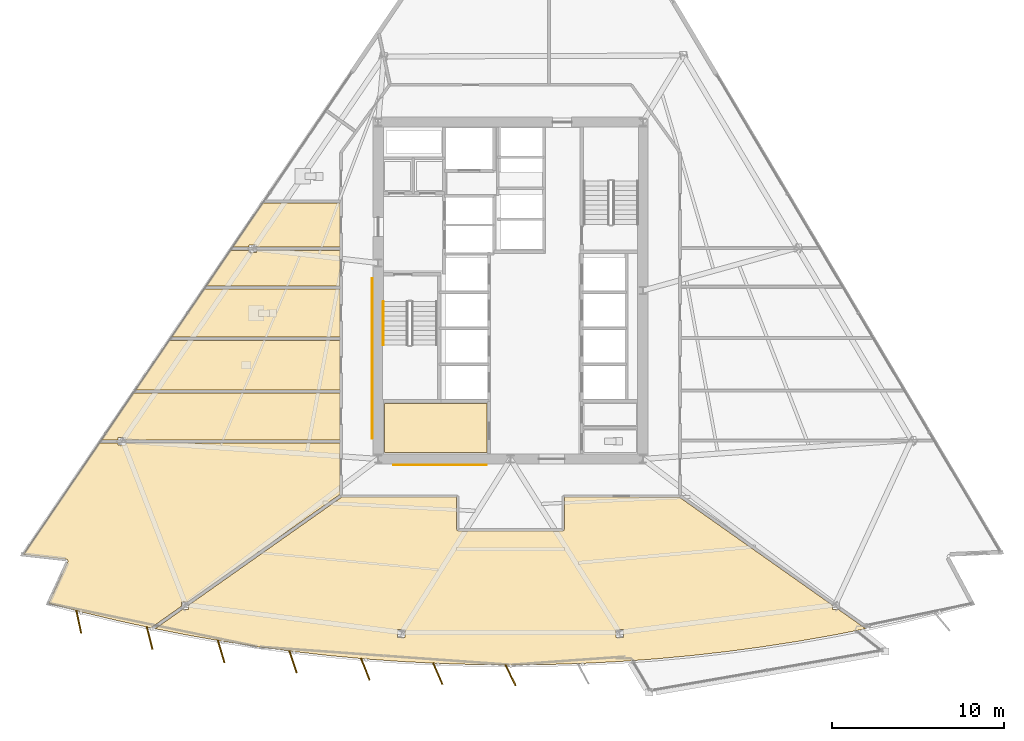
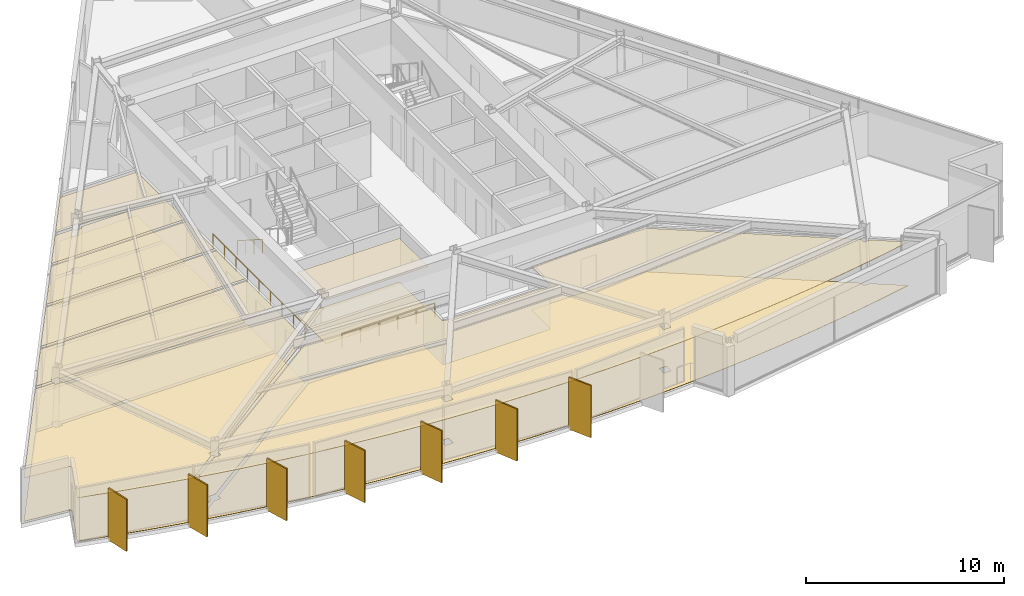
# One storey, part 11 of 15: 16 coverings, 7 shading devices, 3 railings.
"""IFC4 building model written with IfcOpenShell, lengths in metres."""

from ifc_helpers import new_model, si_unit, direction, frame, origin, origin_2d, place, context, subcontext, project, spatial, polyline, rectangle, circle, outline, extrude, material, layer, layer_set, type_object, element, save


model = new_model("IFC4")

# Units and contexts
model_context = context("Model", 3, precision=1e-05, world=origin(), true_north=direction((0.0, 1.0)))
body_context = subcontext(model_context, "Body", "Model", "MODEL_VIEW")
ifc_project = project(units=[si_unit("LENGTHUNIT", "METRE"), si_unit("AREAUNIT", "SQUARE_METRE"), si_unit("VOLUMEUNIT", "CUBIC_METRE"), si_unit("PLANEANGLEUNIT", "RADIAN"), si_unit("MASSUNIT", "GRAM", prefix="KILO")], contexts=[model_context])

# Site, building, storey
site_placement = place(None, origin())
site = spatial("IfcSite", under=ifc_project, at=site_placement, CompositionType="ELEMENT")
building_placement = place(site_placement, origin())
building = spatial("IfcBuilding", under=site, at=building_placement, Name="Savorim Split Tower", CompositionType="ELEMENT")
storey_placement = place(building_placement, frame((0.0, 0.0, 96.89990234375)))
storey = spatial("IfcBuildingStorey", under=building, at=storey_placement, Name="L25", CompositionType="ELEMENT", Elevation=96.89990234375)

# Coverings
ifc_material_1 = material(Name="Mineral Fibre Acoustic Ceiling")
ifc_layer_1 = layer(ifc_material_1, 0.02490234375)
ifc_layer_set_1 = layer_set([ifc_layer_1], Name="COV-CEIL-25")
covering_type_1 = type_object("IfcCoveringType", Name="COV-CEIL-25", PredefinedType="CEILING", material=ifc_layer_set_1)
covering_1_placement = place(storey_placement, frame((0.0, 0.0, 2.670166015625)))
element("IfcCovering", 1, at=covering_1_placement, inside=storey, type_object=covering_type_1, Name="L25 Housekeeping Store Acoustic Ceiling", PredefinedType="CEILING", context=body_context, shape_type="SweptSolid", body=[
    extrude(outline(polyline([(-7.320068359375, -6.179931640625), (-7.320068359375, -9.02001953125), (-1.3798828125, -9.02001953125), (-1.3798828125, -6.179931640625), (-7.320068359375, -6.179931640625)])), origin(), (0.0, 0.0, 1.0), 0.02490234375),
])
covering_2_placement = place(storey_placement, frame((0.0, 0.0, 2.670166015625)))
element("IfcCovering", 2, at=covering_2_placement, inside=storey, type_object=covering_type_1, Name="L25 Shared Bathroom Acoustic Ceiling", PredefinedType="CEILING", context=body_context, shape_type="SweptSolid", body=[
    extrude(outline(polyline([(-17.8291015625, 0.476806640625), (-19.72900390625, -2.31591796875), (-9.919921875, -2.31591796875), (-9.919921875, 0.476806640625), (-17.8291015625, 0.476806640625)])), origin(), (0.0, 0.0, 1.0), 0.02490234375),
])
covering_3_placement = place(storey_placement, frame((0.0, 0.0, 2.670166015625)))
element("IfcCovering", 3, at=covering_3_placement, inside=storey, type_object=covering_type_1, Name="L25 Shared Kitchen Acoustic Ceiling", PredefinedType="CEILING", context=body_context, shape_type="SweptSolid", body=[
    extrude(outline(polyline([(-19.858154296875, -2.506103515625), (-21.80908203125, -5.3740234375), (-9.919921875, -5.3740234375), (-9.919921875, -2.506103515625), (-19.858154296875, -2.506103515625)])), origin(), (0.0, 0.0, 1.0), 0.02490234375),
])
covering_4_placement = place(storey_placement, frame((0.0, 0.0, 2.670166015625)))
element("IfcCovering", 4, at=covering_4_placement, inside=storey, type_object=covering_type_1, Name="L25 Co-Working Commons Acoustic Ceiling", PredefinedType="CEILING", context=body_context, shape_type="SweptSolid", body=[
    extrude(outline(polyline([(-22.39794921875, -8.154052734375), (-22.39794921875, -8.281494140625), (-9.919921875, -8.281494140625), (-9.919921875, -5.564208984375), (-21.9384765625, -5.564208984375), (-23.787109375, -8.281494140625), (-22.826904296875, -8.281494140625), (-22.826904296875, -8.154052734375), (-22.39794921875, -8.154052734375)])), origin(), (0.0, 0.0, 1.0), 0.02490234375),
])
covering_5_placement = place(storey_placement, frame((0.0, 0.0, 2.670166015625)))
element("IfcCovering", 5, at=covering_5_placement, inside=storey, type_object=covering_type_1, Name="L25 Co-Working Commons Acoustic Ceiling", PredefinedType="CEILING", context=body_context, shape_type="SweptSolid", body=[
    extrude(outline(polyline([(-25.751953125, -15.339111328125), (-25.751708984375, -15.35107421875), (-25.752685546875, -15.36279296875), (-25.7548828125, -15.374755859375), (-25.758056640625, -15.385986328125), (-25.7626953125, -15.397216796875), (-26.867919921875, -17.80322265625), (-24.9716796875, -18.29931640625), (-22.927490234375, -18.789306640625), (-20.873779296875, -19.237548828125), (-20.83447265625, -19.245361328125), (-20.87353515625, -19.18994140625), (-19.15087890625, -17.973876953125), (-19.15087890625, -17.71630859375), (-18.785888671875, -17.71630859375), (-9.950927734375, -11.47998046875), (-9.919921875, -11.458251953125), (-9.919921875, -8.471435546875), (-22.39794921875, -8.471435546875), (-22.39794921875, -8.59912109375), (-22.826904296875, -8.59912109375), (-22.826904296875, -8.471435546875), (-23.791259765625, -8.471435546875), (-23.88623046875, -8.471435546875), (-23.88623046875, -8.42724609375), (-28.3251953125, -14.952392578125), (-25.8583984375, -15.227783203125), (-25.846435546875, -15.229736328125), (-25.8349609375, -15.23291015625), (-25.82373046875, -15.237060546875), (-25.81298828125, -15.2421875), (-25.802978515625, -15.248779296875), (-25.79345703125, -15.256103515625), (-25.784912109375, -15.26416015625), (-25.777099609375, -15.273193359375), (-25.770263671875, -15.282958984375), (-25.764404296875, -15.293212890625), (-25.759521484375, -15.30419921875), (-25.755859375, -15.315673828125), (-25.75341796875, -15.3271484375), (-25.751953125, -15.339111328125)])), origin(), (0.0, 0.0, 1.0), 0.02490234375),
])
covering_6_placement = place(storey_placement, frame((0.0, 0.0, 2.670166015625)))
element("IfcCovering", 6, at=covering_6_placement, inside=storey, type_object=covering_type_1, Name="L25 Co-Working Commons Acoustic Ceiling", PredefinedType="CEILING", context=body_context, shape_type="SweptSolid", body=[
    extrude(outline(polyline([(12.58056640625, -20.607421875), (14.6640625, -20.32861328125), (16.7412109375, -20.00732421875), (18.8115234375, -19.6435546875), (20.668701171875, -19.27783203125), (19.0869140625, -18.1611328125), (18.7216796875, -18.1611328125), (18.7216796875, -17.903564453125), (9.84130859375, -11.63525390625), (9.813720703125, -11.61572265625), (9.807373046875, -11.6171875), (9.793701171875, -11.619384765625), (9.780029296875, -11.6201171875), (3.139892578125, -11.6201171875), (3.139892578125, -13.449951171875), (3.139404296875, -13.463623046875), (3.13720703125, -13.477294921875), (3.134033203125, -13.490478515625), (3.12939453125, -13.503662109375), (3.12353515625, -13.51611328125), (3.116455078125, -13.52783203125), (3.108154296875, -13.538818359375), (3.09912109375, -13.549072265625), (3.0888671875, -13.55810546875), (3.077880859375, -13.56640625), (3.06591796875, -13.573486328125), (3.0537109375, -13.579345703125), (3.04052734375, -13.583984375), (3.02734375, -13.58740234375), (3.013671875, -13.58935546875), (3.0, -13.590087890625), (-3.0, -13.590087890625), (-3.013671875, -13.58935546875), (-3.02734375, -13.58740234375), (-3.04052734375, -13.583984375), (-3.0537109375, -13.579345703125), (-3.06591796875, -13.573486328125), (-3.077880859375, -13.56640625), (-3.0888671875, -13.55810546875), (-3.09912109375, -13.549072265625), (-3.108154296875, -13.538818359375), (-3.116455078125, -13.52783203125), (-3.12353515625, -13.51611328125), (-3.12939453125, -13.503662109375), (-3.134033203125, -13.490478515625), (-3.13720703125, -13.477294921875), (-3.139404296875, -13.463623046875), (-3.139892578125, -13.449951171875), (-3.139892578125, -11.6201171875), (-9.780029296875, -11.6201171875), (-9.793701171875, -11.619384765625), (-9.807373046875, -11.6171875), (-9.813720703125, -11.61572265625), (-18.7216796875, -17.903564453125), (-18.7216796875, -18.1611328125), (-19.0869140625, -18.1611328125), (-20.668701171875, -19.27783203125), (-18.8115234375, -19.6435546875), (-16.7412109375, -20.00732421875), (-14.6640625, -20.32861328125), (-12.58056640625, -20.607421875), (-10.49169921875, -20.843505859375), (-8.398681640625, -21.036865234375), (-6.302001953125, -21.187255859375), (-4.202880859375, -21.294921875), (-2.101806640625, -21.359375), (0.0, -21.380859375), (2.101806640625, -21.359375), (4.202880859375, -21.294921875), (6.302001953125, -21.187255859375), (8.398681640625, -21.036865234375), (10.49169921875, -20.843505859375), (12.58056640625, -20.607421875)]), holes=[polyline([(-6.56103515625, -19.777587890625), (-6.132080078125, -19.777587890625), (-6.132080078125, -19.332763671875), (-6.56103515625, -19.332763671875), (-6.56103515625, -19.777587890625)]), polyline([(6.132080078125, -19.777587890625), (6.56103515625, -19.777587890625), (6.56103515625, -19.332763671875), (6.132080078125, -19.332763671875), (6.132080078125, -19.777587890625)])]), origin(), (0.0, 0.0, 1.0), 0.02490234375),
])
covering_7_placement = place(storey_placement, frame((0.0, 0.0, 2.670166015625)))
element("IfcCovering", 7, at=covering_7_placement, inside=storey, type_object=covering_type_1, Name="L25 Maker Workshop Acoustic Ceiling", PredefinedType="CEILING", context=body_context, shape_type="SweptSolid", body=[
    extrude(outline(polyline([(-14.779052734375, 3.0458984375), (-14.779052734375, 2.918212890625), (-9.919921875, 2.918212890625), (-9.919921875, 5.48876953125), (-14.41943359375, 5.48876953125), (-16.168212890625, 2.918212890625), (-15.2080078125, 2.918212890625), (-15.2080078125, 3.0458984375), (-14.779052734375, 3.0458984375)])), origin(), (0.0, 0.0, 1.0), 0.02490234375),
])
covering_8_placement = place(storey_placement, frame((0.0, 0.0, 2.670166015625)))
element("IfcCovering", 8, at=covering_8_placement, inside=storey, type_object=covering_type_1, Name="L25 Co-Living Bedroom Acoustic Ceiling", PredefinedType="CEILING", context=body_context, shape_type="SweptSolid", body=[
    extrude(outline(polyline([(-15.2080078125, 2.728271484375), (-16.172119140625, 2.728271484375), (-16.26708984375, 2.728271484375), (-16.26708984375, 2.772705078125), (-17.69970703125, 0.666748046875), (-9.919921875, 0.666748046875), (-9.919921875, 2.728271484375), (-14.779052734375, 2.728271484375), (-14.779052734375, 2.600830078125), (-15.2080078125, 2.600830078125), (-15.2080078125, 2.728271484375)])), origin(), (0.0, 0.0, 1.0), 0.02490234375),
])
ifc_material_2 = material(Name="Porcelain Stoneware Flooring", Category="masonry")
ifc_layer_2 = layer(ifc_material_2, 0.02001953125)
ifc_layer_set_2 = layer_set([ifc_layer_2], Name="COV-FLOR-20")
covering_type_2 = type_object("IfcCoveringType", Name="COV-FLOR-20", PredefinedType="FLOORING", material=ifc_layer_set_2)
covering_9_placement = place(storey_placement, origin())
element("IfcCovering", 9, at=covering_9_placement, inside=storey, type_object=covering_type_2, Name="L25 Housekeeping Store Porcelain Flooring", PredefinedType="FLOORING", context=body_context, shape_type="SweptSolid", body=[
    extrude(outline(polyline([(-7.320068359375, -6.179931640625), (-7.320068359375, -9.02001953125), (-1.3798828125, -9.02001953125), (-1.3798828125, -6.179931640625), (-7.320068359375, -6.179931640625)])), origin(), (0.0, 0.0, 1.0), 0.02001953125),
])
covering_10_placement = place(storey_placement, origin())
element("IfcCovering", 10, at=covering_10_placement, inside=storey, type_object=covering_type_2, Name="L25 Shared Bathroom Porcelain Flooring", PredefinedType="FLOORING", context=body_context, shape_type="SweptSolid", body=[
    extrude(outline(polyline([(-17.8291015625, 0.476806640625), (-19.72900390625, -2.31591796875), (-9.919921875, -2.31591796875), (-9.919921875, 0.476806640625), (-17.8291015625, 0.476806640625)])), origin(), (0.0, 0.0, 1.0), 0.02001953125),
])
covering_11_placement = place(storey_placement, origin())
element("IfcCovering", 11, at=covering_11_placement, inside=storey, type_object=covering_type_2, Name="L25 Shared Kitchen Porcelain Flooring", PredefinedType="FLOORING", context=body_context, shape_type="SweptSolid", body=[
    extrude(outline(polyline([(-19.858154296875, -2.506103515625), (-21.80908203125, -5.3740234375), (-9.919921875, -5.3740234375), (-9.919921875, -2.506103515625), (-19.858154296875, -2.506103515625)])), origin(), (0.0, 0.0, 1.0), 0.02001953125),
])
covering_12_placement = place(storey_placement, origin())
element("IfcCovering", 12, at=covering_12_placement, inside=storey, type_object=covering_type_2, Name="L25 Co-Working Commons Porcelain Flooring", PredefinedType="FLOORING", context=body_context, shape_type="SweptSolid", body=[
    extrude(outline(polyline([(-22.39794921875, -8.154052734375), (-22.39794921875, -8.281494140625), (-9.919921875, -8.281494140625), (-9.919921875, -5.564208984375), (-21.9384765625, -5.564208984375), (-23.787109375, -8.281494140625), (-22.826904296875, -8.281494140625), (-22.826904296875, -8.154052734375), (-22.39794921875, -8.154052734375)])), origin(), (0.0, 0.0, 1.0), 0.02001953125),
])
covering_13_placement = place(storey_placement, origin())
element("IfcCovering", 13, at=covering_13_placement, inside=storey, type_object=covering_type_2, Name="L25 Co-Working Commons Porcelain Flooring", PredefinedType="FLOORING", context=body_context, shape_type="SweptSolid", body=[
    extrude(outline(polyline([(-25.751953125, -15.339111328125), (-25.751708984375, -15.35107421875), (-25.752685546875, -15.36279296875), (-25.7548828125, -15.374755859375), (-25.758056640625, -15.385986328125), (-25.7626953125, -15.397216796875), (-26.867919921875, -17.80322265625), (-24.9716796875, -18.29931640625), (-22.927490234375, -18.789306640625), (-20.873779296875, -19.237548828125), (-20.83447265625, -19.245361328125), (-20.87353515625, -19.18994140625), (-19.15087890625, -17.973876953125), (-19.15087890625, -17.71630859375), (-18.785888671875, -17.71630859375), (-9.950927734375, -11.47998046875), (-9.919921875, -11.458251953125), (-9.919921875, -8.471435546875), (-22.39794921875, -8.471435546875), (-22.39794921875, -8.59912109375), (-22.826904296875, -8.59912109375), (-22.826904296875, -8.471435546875), (-23.791259765625, -8.471435546875), (-23.88623046875, -8.471435546875), (-23.88623046875, -8.42724609375), (-28.3251953125, -14.952392578125), (-25.8583984375, -15.227783203125), (-25.846435546875, -15.229736328125), (-25.8349609375, -15.23291015625), (-25.82373046875, -15.237060546875), (-25.81298828125, -15.2421875), (-25.802978515625, -15.248779296875), (-25.79345703125, -15.256103515625), (-25.784912109375, -15.26416015625), (-25.777099609375, -15.273193359375), (-25.770263671875, -15.282958984375), (-25.764404296875, -15.293212890625), (-25.759521484375, -15.30419921875), (-25.755859375, -15.315673828125), (-25.75341796875, -15.3271484375), (-25.751953125, -15.339111328125)])), origin(), (0.0, 0.0, 1.0), 0.02001953125),
])
covering_14_placement = place(storey_placement, origin())
element("IfcCovering", 14, at=covering_14_placement, inside=storey, type_object=covering_type_2, Name="L25 Co-Working Commons Porcelain Flooring", PredefinedType="FLOORING", context=body_context, shape_type="SweptSolid", body=[
    extrude(outline(polyline([(12.58056640625, -20.607421875), (14.6640625, -20.32861328125), (16.7412109375, -20.00732421875), (18.8115234375, -19.6435546875), (20.668701171875, -19.27783203125), (19.0869140625, -18.1611328125), (18.7216796875, -18.1611328125), (18.7216796875, -17.903564453125), (9.84130859375, -11.63525390625), (9.813720703125, -11.61572265625), (9.807373046875, -11.6171875), (9.793701171875, -11.619384765625), (9.780029296875, -11.6201171875), (3.139892578125, -11.6201171875), (3.139892578125, -13.449951171875), (3.139404296875, -13.463623046875), (3.13720703125, -13.477294921875), (3.134033203125, -13.490478515625), (3.12939453125, -13.503662109375), (3.12353515625, -13.51611328125), (3.116455078125, -13.52783203125), (3.108154296875, -13.538818359375), (3.09912109375, -13.549072265625), (3.0888671875, -13.55810546875), (3.077880859375, -13.56640625), (3.06591796875, -13.573486328125), (3.0537109375, -13.579345703125), (3.04052734375, -13.583984375), (3.02734375, -13.58740234375), (3.013671875, -13.58935546875), (3.0, -13.590087890625), (-3.0, -13.590087890625), (-3.013671875, -13.58935546875), (-3.02734375, -13.58740234375), (-3.04052734375, -13.583984375), (-3.0537109375, -13.579345703125), (-3.06591796875, -13.573486328125), (-3.077880859375, -13.56640625), (-3.0888671875, -13.55810546875), (-3.09912109375, -13.549072265625), (-3.108154296875, -13.538818359375), (-3.116455078125, -13.52783203125), (-3.12353515625, -13.51611328125), (-3.12939453125, -13.503662109375), (-3.134033203125, -13.490478515625), (-3.13720703125, -13.477294921875), (-3.139404296875, -13.463623046875), (-3.139892578125, -13.449951171875), (-3.139892578125, -11.6201171875), (-9.780029296875, -11.6201171875), (-9.793701171875, -11.619384765625), (-9.807373046875, -11.6171875), (-9.813720703125, -11.61572265625), (-18.7216796875, -17.903564453125), (-18.7216796875, -18.1611328125), (-19.0869140625, -18.1611328125), (-20.668701171875, -19.27783203125), (-18.8115234375, -19.6435546875), (-16.7412109375, -20.00732421875), (-14.6640625, -20.32861328125), (-12.58056640625, -20.607421875), (-10.49169921875, -20.843505859375), (-8.398681640625, -21.036865234375), (-6.302001953125, -21.187255859375), (-4.202880859375, -21.294921875), (-2.101806640625, -21.359375), (0.0, -21.380859375), (2.101806640625, -21.359375), (4.202880859375, -21.294921875), (6.302001953125, -21.187255859375), (8.398681640625, -21.036865234375), (10.49169921875, -20.843505859375), (12.58056640625, -20.607421875)]), holes=[polyline([(-6.56103515625, -19.777587890625), (-6.132080078125, -19.777587890625), (-6.132080078125, -19.332763671875), (-6.56103515625, -19.332763671875), (-6.56103515625, -19.777587890625)]), polyline([(6.132080078125, -19.777587890625), (6.56103515625, -19.777587890625), (6.56103515625, -19.332763671875), (6.132080078125, -19.332763671875), (6.132080078125, -19.777587890625)])]), origin(), (0.0, 0.0, 1.0), 0.02001953125),
])
covering_15_placement = place(storey_placement, origin())
element("IfcCovering", 15, at=covering_15_placement, inside=storey, type_object=covering_type_2, Name="L25 Maker Workshop Porcelain Flooring", PredefinedType="FLOORING", context=body_context, shape_type="SweptSolid", body=[
    extrude(outline(polyline([(-14.779052734375, 3.0458984375), (-14.779052734375, 2.918212890625), (-9.919921875, 2.918212890625), (-9.919921875, 5.48876953125), (-14.41943359375, 5.48876953125), (-16.168212890625, 2.918212890625), (-15.2080078125, 2.918212890625), (-15.2080078125, 3.0458984375), (-14.779052734375, 3.0458984375)])), origin(), (0.0, 0.0, 1.0), 0.02001953125),
])
covering_16_placement = place(storey_placement, origin())
element("IfcCovering", 16, at=covering_16_placement, inside=storey, type_object=covering_type_2, Name="L25 Co-Living Bedroom Porcelain Flooring", PredefinedType="FLOORING", context=body_context, shape_type="SweptSolid", body=[
    extrude(outline(polyline([(-15.2080078125, 2.728271484375), (-16.172119140625, 2.728271484375), (-16.26708984375, 2.728271484375), (-16.26708984375, 2.772705078125), (-17.69970703125, 0.666748046875), (-9.919921875, 0.666748046875), (-9.919921875, 2.728271484375), (-14.779052734375, 2.728271484375), (-14.779052734375, 2.600830078125), (-15.2080078125, 2.600830078125), (-15.2080078125, 2.728271484375)])), origin(), (0.0, 0.0, 1.0), 0.02001953125),
])

# Railings
ifc_material_3 = material(Name="Galvanised Painted Steel Balustrade", Category="steel")
railing_type = type_object("IfcRailingType", Name="RLG-HR-900", PredefinedType="HANDRAIL", material=ifc_material_3)
railing_1_placement = place(storey_placement, frame((-7.39990234375, -0.25, 0.18017578125)))
element("IfcRailing", 17, at=railing_1_placement, inside=storey, type_object=railing_type, Name="L25 ST-1 stair handrail 1", PredefinedType="HANDRAIL", context=body_context, shape_type="SweptSolid", body=[
    extrude(circle(Radius=0.02392578125, at=origin_2d()), frame((0.0, 0.0, 0.8759765625), z_axis=(0.0, -0.841199657755, 0.540724639528), x_axis=(1.0, 0.0, 0.0)), (0.0, 0.0, 1.0), 2.995849609375),
    extrude(circle(Radius=0.02099609375, at=origin_2d()), origin(), (0.0, 0.0, 1.0), 0.851806640625),
    extrude(circle(Radius=0.02099609375, at=origin_2d()), frame((0.0, -0.840087890625, 0.5400390625)), (0.0, 0.0, 1.0), 0.851806640625),
    extrude(circle(Radius=0.02099609375, at=origin_2d()), frame((0.0, -1.679931640625, 1.079833984375)), (0.0, 0.0, 1.0), 0.851806640625),
    extrude(circle(Radius=0.02099609375, at=origin_2d()), frame((0.0, -2.52001953125, 1.619873046875)), (0.0, 0.0, 1.0), 0.851806640625),
])
railing_2_placement = place(storey_placement, frame((-6.800048828125, -9.75, 0.0)))
element("IfcRailing", 18, at=railing_2_placement, inside=storey, type_object=railing_type, Name="L25 Corridor South Accessible Handrail", PredefinedType="HANDRAIL", context=body_context, shape_type="SweptSolid", body=[
    extrude(circle(Radius=0.02392578125, at=origin_2d()), frame((0.0, 0.0, 0.8759765625), z_axis=(1.0, 0.0, 0.0), x_axis=(0.0, 1.0, 0.0)), (0.0, 0.0, 1.0), 5.400146484375),
    extrude(circle(Radius=0.02099609375, at=origin_2d()), origin(), (0.0, 0.0, 1.0), 0.851806640625),
    extrude(circle(Radius=0.02099609375, at=origin_2d()), frame((1.080078125, 0.0, 0.0)), (0.0, 0.0, 1.0), 0.851806640625),
    extrude(circle(Radius=0.02099609375, at=origin_2d()), frame((2.16015625, 0.0, 0.0)), (0.0, 0.0, 1.0), 0.851806640625),
    extrude(circle(Radius=0.02099609375, at=origin_2d()), frame((3.239990234375, 0.0, 0.0)), (0.0, 0.0, 1.0), 0.851806640625),
    extrude(circle(Radius=0.02099609375, at=origin_2d()), frame((4.320068359375, 0.0, 0.0)), (0.0, 0.0, 1.0), 0.851806640625),
    extrude(circle(Radius=0.02099609375, at=origin_2d()), frame((5.400146484375, 0.0, 0.0)), (0.0, 0.0, 1.0), 0.851806640625),
])
railing_3_placement = place(storey_placement, frame((-8.050048828125, -8.199951171875, 0.0)))
element("IfcRailing", 19, at=railing_3_placement, inside=storey, type_object=railing_type, Name="L25 Corridor West Accessible Handrail", PredefinedType="HANDRAIL", context=body_context, shape_type="SweptSolid", body=[
    extrude(circle(Radius=0.02392578125, at=origin_2d()), frame((0.0, 0.0, 0.8759765625), z_axis=(0.0, 1.0, 0.0), x_axis=(-1.0, 0.0, 0.0)), (0.0, 0.0, 1.0), 9.300048828125),
    extrude(circle(Radius=0.02099609375, at=origin_2d()), origin(), (0.0, 0.0, 1.0), 0.851806640625),
    extrude(circle(Radius=0.02099609375, at=origin_2d()), frame((0.0, 1.16259765625, 0.0)), (0.0, 0.0, 1.0), 0.851806640625),
    extrude(circle(Radius=0.02099609375, at=origin_2d()), frame((0.0, 2.324951171875, 0.0)), (0.0, 0.0, 1.0), 0.851806640625),
    extrude(circle(Radius=0.02099609375, at=origin_2d()), frame((0.0, 3.487548828125, 0.0)), (0.0, 0.0, 1.0), 0.851806640625),
    extrude(circle(Radius=0.02099609375, at=origin_2d()), frame((0.0, 4.64990234375, 0.0)), (0.0, 0.0, 1.0), 0.851806640625),
    extrude(circle(Radius=0.02099609375, at=origin_2d()), frame((0.0, 5.8125, 0.0)), (0.0, 0.0, 1.0), 0.851806640625),
    extrude(circle(Radius=0.02099609375, at=origin_2d()), frame((0.0, 6.97509765625, 0.0)), (0.0, 0.0, 1.0), 0.851806640625),
    extrude(circle(Radius=0.02099609375, at=origin_2d()), frame((0.0, 8.137451171875, 0.0)), (0.0, 0.0, 1.0), 0.851806640625),
    extrude(circle(Radius=0.02099609375, at=origin_2d()), frame((0.0, 9.300048828125, 0.0)), (0.0, 0.0, 1.0), 0.851806640625),
])

# Shading devices
ifc_material_4 = material(Name="Terracotta Ceramic-Coated Aluminium Fin", Category="masonry")
shading_device_type = type_object("IfcShadingDeviceType", Name="SHD-FIN-1360", PredefinedType="USERDEFINED", material=ifc_material_4)
for number, where, z_axis, x_axis, name in (
    (20, (-25.116455078125, -18.87744140625, -0.19970703125), (0.0, 0.0, 1.0), (0.206721626106, -0.978399800337, 0.0), "L25 Sawtooth Shading Fin 01"),
    (21, (-20.9951171875, -19.821044921875, -0.19970703125), (0.0, 0.0, 1.0), (0.246581250663, -0.969122121727, 0.0), "L25 Sawtooth Shading Fin 02"),
    (22, (-16.83837890625, -20.595458984375, -0.19970703125), (0.0, 0.0, 1.0), (0.286026212504, -0.958221793616, 0.0), "L25 Sawtooth Shading Fin 03"),
    (23, (-12.653564453125, -21.198974609375, -0.19970703125), (0.0, 0.0, 1.0), (0.324993810493, -0.945716143005, 0.0), "L25 Sawtooth Shading Fin 04"),
    (24, (-8.447509765625, -21.630859375, -0.19970703125), (0.0, 0.0, 1.0), (0.363415461732, -0.931627179817, 0.0), "L25 Sawtooth Shading Fin 05"),
    (25, (-4.227294921875, -21.890380859375, -0.19970703125), (0.0, 0.0, 1.0), (0.401230091723, -0.915977299662, 0.0), "L25 Sawtooth Shading Fin 06"),
    (26, (0.0, -21.976806640625, -0.19970703125), (0.0, 0.0, 1.0), (0.438371146789, -0.898794046299, 0.0), "L25 Sawtooth Shading Fin 07"),
):
    element("IfcShadingDevice", number, at=place(storey_placement, frame(where, z_axis=z_axis, x_axis=x_axis)), inside=storey, type_object=shading_device_type, Name=name, ObjectType="FIN", PredefinedType="USERDEFINED", context=body_context, shape_type="SweptSolid", body=[
        extrude(rectangle(XDim=1.360107421875, YDim=0.080078125, at=origin_2d()), origin(), (0.0, 0.0, 1.0), 3.199951171875),
    ])

save(model, "model.ifc")
